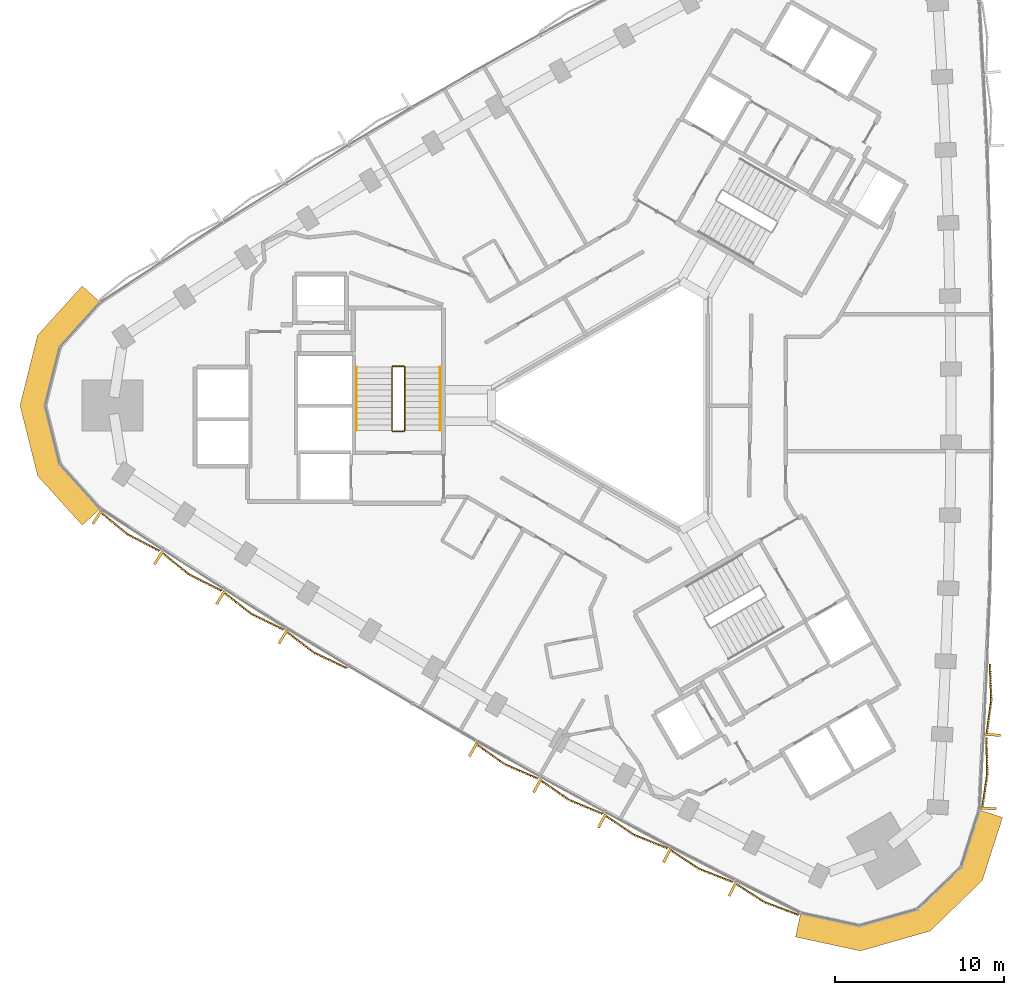
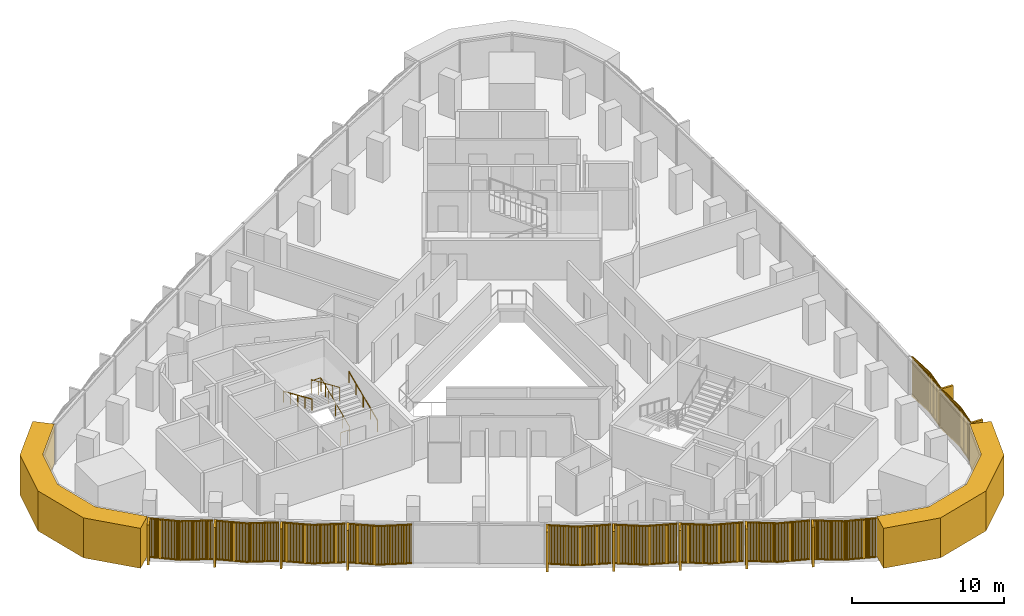
# One storey, part 12 of 14: 13 coverings, 3 railings.
"""IFC4 building model written with IfcOpenShell, lengths in metres."""

from ifc_helpers import new_model, si_unit, direction, frame, frame_2d, origin, origin_2d, place, context, subcontext, project, spatial, polyline, rectangle, circle, outline, extrude, source, transform, mapped, material, layer, layer_set, type_object, element, save


model = new_model("IFC4")

# Units and contexts
model_context = context("Model", 3, precision=1e-05, world=origin(), true_north=direction((0.0, 1.0)))
body_context = subcontext(model_context, "Body", "Model", "MODEL_VIEW")
ifc_project = project(units=[si_unit("LENGTHUNIT", "METRE"), si_unit("AREAUNIT", "SQUARE_METRE"), si_unit("VOLUMEUNIT", "CUBIC_METRE"), si_unit("PLANEANGLEUNIT", "RADIAN"), si_unit("MASSUNIT", "GRAM", prefix="KILO")], contexts=[model_context])

# Site, building, storey
site_placement = place(None, origin())
site = spatial("IfcSite", under=ifc_project, at=site_placement, CompositionType="ELEMENT")
building_placement = place(site_placement, origin())
building = spatial("IfcBuilding", under=site, at=building_placement, Name="Tamra Quay Hotel Tower", CompositionType="ELEMENT")
storey_placement = place(building_placement, frame((0.0, 0.0, 146.800048828125)))
storey = spatial("IfcBuildingStorey", under=building, at=storey_placement, Name="L36", CompositionType="ELEMENT", Elevation=146.800048828125)

# Coverings
ifc_material_1 = material(Name="Precast concrete M60 terracotta-coloured", Category="masonry")
ifc_layer = layer(ifc_material_1, 1.449951171875)
ifc_layer_set = layer_set([ifc_layer], Name="CORNER PIER PANEL")
covering_type_1 = type_object("IfcCoveringType", Name="CORNER PIER PANEL", PredefinedType="CLADDING", material=ifc_layer_set)
covering_1_placement = place(storey_placement, origin())
element("IfcCovering", 1, at=covering_1_placement, inside=storey, type_object=covering_type_1, Name="Corner pier L36.north-west", PredefinedType="CLADDING", context=body_context, shape_type="SweptSolid", body=[
    extrude(outline(polyline([(-31.139892578125, 6.099365234375), (-32.21435546875, 7.0732421875), (-34.85205078125, 4.16259765625), (-35.894775390625, 0.0), (-34.85205078125, -4.16259765625), (-32.21435546875, -7.0732421875), (-31.139892578125, -6.099365234375), (-33.53369140625, -3.4580078125), (-34.39990234375, 0.0), (-33.53369140625, 3.4580078125), (-31.139892578125, 6.099365234375)])), origin(), (0.0, 0.0, 1.0), 3.199951171875),
])
covering_2_placement = place(storey_placement, origin())
element("IfcCovering", 2, at=covering_2_placement, inside=storey, type_object=covering_type_1, Name="Corner pier L36.south-west", PredefinedType="CLADDING", context=body_context, shape_type="SweptSolid", body=[
    extrude(outline(polyline([(10.28759765625, -30.017578125), (9.981689453125, -31.43505859375), (13.821044921875, -32.26416015625), (17.947509765625, -31.085693359375), (21.031005859375, -28.1015625), (22.232666015625, -24.36181640625), (20.852294921875, -23.918212890625), (19.76171875, -27.31201171875), (17.199951171875, -29.791259765625), (13.772216796875, -30.770263671875), (10.28759765625, -30.017578125)])), origin(), (0.0, 0.0, 1.0), 3.199951171875),
])

# Railings
ifc_material_2 = material(Name="Stair guard 1100")
railing_type_1 = type_object("IfcRailingType", Name="Stair guard 1100", PredefinedType="GUARDRAIL", material=ifc_material_2)
railing_1_placement = place(storey_placement, frame((-13.84130859375, -1.530029296875, 0.0)))
element("IfcRailing", 3, at=railing_1_placement, inside=storey, type_object=railing_type_1, Name="GR", PredefinedType="GUARDRAIL", context=body_context, shape_type="SweptSolid", body=[
    extrude(circle(Radius=0.02392578125, at=origin_2d()), frame((0.0, 0.0, 1.076171875), z_axis=(1.0, 0.0, 0.0), x_axis=(0.0, 1.0, 0.0)), (0.0, 0.0, 1.0), 0.658935546875),
    extrude(circle(Radius=0.02392578125, at=origin_2d()), frame((0.658935546875, 0.0, 1.076171875), z_axis=(0.301912943143, 0.301912943143, 0.904266083366), x_axis=(-0.707106781187, 0.707106781187, 0.0)), (0.0, 0.0, 1.0), 0.165771484375),
    extrude(circle(Radius=0.02392578125, at=origin_2d()), frame((0.708984375, 0.050048828125, 1.22607421875), z_axis=(0.0, 0.915773634228, 0.401694723457), x_axis=(-1.0, 0.0, 0.0)), (0.0, 0.0, 1.0), 4.10791015625),
    extrude(circle(Radius=0.02392578125, at=origin_2d()), frame((0.708984375, 3.81201171875, 2.8759765625), z_axis=(-0.708833529934, 0.705375805398, 0.0), x_axis=(-0.705375805398, -0.708833529934, 0.0)), (0.0, 0.0, 1.0), 0.070556640625),
    extrude(circle(Radius=0.02392578125, at=origin_2d()), frame((0.658935546875, 3.86181640625, 2.8759765625), z_axis=(-1.0, 0.0, 0.0), x_axis=(0.0, -1.0, 0.0)), (0.0, 0.0, 1.0), 0.658935546875),
    extrude(circle(Radius=0.02392578125, at=origin_2d()), frame((0.0, 3.86181640625, 2.8759765625), z_axis=(-0.302046947789, -0.300573548044, 0.904667443621), x_axis=(0.705375805398, -0.708833529934, 0.0)), (0.0, 0.0, 1.0), 0.165771484375),
    extrude(circle(Radius=0.02392578125, at=origin_2d()), frame((-0.050048828125, 3.81201171875, 3.02587890625), z_axis=(0.0, -0.915795495799, 0.401644880304), x_axis=(1.0, 0.0, 0.0)), (0.0, 0.0, 1.0), 4.10791015625),
    extrude(circle(Radius=0.02099609375, at=origin_2d()), origin(), (0.0, 0.0, 1.0), 1.052001953125),
    extrude(circle(Radius=0.02099609375, at=origin_2d()), frame((0.658935546875, 0.0, 0.0)), (0.0, 0.0, 1.0), 1.052001953125),
    extrude(circle(Radius=0.02099609375, at=origin_2d()), frame((0.708984375, 0.050048828125, 0.14990234375)), (0.0, 0.0, 1.0), 1.052001953125),
    extrude(circle(Radius=0.02099609375, at=origin_2d()), frame((0.708984375, 0.990478515625, 0.5625)), (0.0, 0.0, 1.0), 1.052001953125),
    extrude(circle(Radius=0.02099609375, at=origin_2d()), frame((0.708984375, 1.93115234375, 0.97509765625)), (0.0, 0.0, 1.0), 1.052001953125),
    extrude(circle(Radius=0.02099609375, at=origin_2d()), frame((0.708984375, 2.87158203125, 1.387451171875)), (0.0, 0.0, 1.0), 1.052001953125),
    extrude(circle(Radius=0.02099609375, at=origin_2d()), frame((0.708984375, 3.81201171875, 1.800048828125)), (0.0, 0.0, 1.0), 1.052001953125),
    extrude(circle(Radius=0.02099609375, at=origin_2d()), frame((0.658935546875, 3.86181640625, 1.800048828125)), (0.0, 0.0, 1.0), 1.052001953125),
    extrude(circle(Radius=0.02099609375, at=origin_2d()), frame((0.0, 3.86181640625, 1.800048828125)), (0.0, 0.0, 1.0), 1.052001953125),
    extrude(circle(Radius=0.02099609375, at=origin_2d()), frame((-0.050048828125, 3.81201171875, 1.949951171875)), (0.0, 0.0, 1.0), 1.052001953125),
    extrude(circle(Radius=0.02099609375, at=origin_2d()), frame((-0.050048828125, 2.87158203125, 2.3623046875)), (0.0, 0.0, 1.0), 1.052001953125),
    extrude(circle(Radius=0.02099609375, at=origin_2d()), frame((-0.050048828125, 1.93115234375, 2.77490234375)), (0.0, 0.0, 1.0), 1.052001953125),
    extrude(circle(Radius=0.02099609375, at=origin_2d()), frame((-0.050048828125, 0.990478515625, 3.1875)), (0.0, 0.0, 1.0), 1.052001953125),
    extrude(circle(Radius=0.02099609375, at=origin_2d()), frame((-0.050048828125, 0.050048828125, 3.599853515625)), (0.0, 0.0, 1.0), 1.052001953125),
])
ifc_material_3 = material(Name="Stair handrail 900")
railing_type_2 = type_object("IfcRailingType", Name="Stair handrail 900", PredefinedType="HANDRAIL", material=ifc_material_3)
railing_2_placement = place(storey_placement, frame((-11.0322265625, -1.47998046875, 0.14990234375)))
element("IfcRailing", 4, at=railing_2_placement, inside=storey, type_object=railing_type_2, Name="HR", PredefinedType="HANDRAIL", context=body_context, shape_type="SweptSolid", body=[
    extrude(circle(Radius=0.02392578125, at=origin_2d()), frame((0.0, 0.0, 0.8759765625), z_axis=(0.0, 0.915773634228, 0.401694723457), x_axis=(-1.0, 0.0, 0.0)), (0.0, 0.0, 1.0), 4.10791015625),
    extrude(circle(Radius=0.02099609375, at=origin_2d()), origin(), (0.0, 0.0, 1.0), 0.851806640625),
    extrude(circle(Radius=0.02099609375, at=origin_2d()), frame((0.0, 0.9404296875, 0.41259765625)), (0.0, 0.0, 1.0), 0.851806640625),
    extrude(circle(Radius=0.02099609375, at=origin_2d()), frame((0.0, 1.880859375, 0.8251953125)), (0.0, 0.0, 1.0), 0.851806640625),
    extrude(circle(Radius=0.02099609375, at=origin_2d()), frame((0.0, 2.821533203125, 1.237548828125)), (0.0, 0.0, 1.0), 0.851806640625),
    extrude(circle(Radius=0.02099609375, at=origin_2d()), frame((0.0, 3.761962890625, 1.650146484375)), (0.0, 0.0, 1.0), 0.851806640625),
])
railing_3_placement = place(storey_placement, frame((-15.9912109375, 2.281982421875, 1.949951171875)))
element("IfcRailing", 5, at=railing_3_placement, inside=storey, type_object=railing_type_2, Name="HR", PredefinedType="HANDRAIL", context=body_context, shape_type="SweptSolid", body=[
    extrude(circle(Radius=0.02392578125, at=origin_2d()), frame((0.0, 0.0, 0.8759765625), z_axis=(0.0, -0.915795495799, 0.401644880304), x_axis=(1.0, 0.0, 0.0)), (0.0, 0.0, 1.0), 4.10791015625),
    extrude(circle(Radius=0.02099609375, at=origin_2d()), origin(), (0.0, 0.0, 1.0), 0.851806640625),
    extrude(circle(Radius=0.02099609375, at=origin_2d()), frame((0.0, -0.9404296875, 0.41259765625)), (0.0, 0.0, 1.0), 0.851806640625),
    extrude(circle(Radius=0.02099609375, at=origin_2d()), frame((0.0, -1.880859375, 0.824951171875)), (0.0, 0.0, 1.0), 0.851806640625),
    extrude(circle(Radius=0.02099609375, at=origin_2d()), frame((0.0, -2.821533203125, 1.2373046875)), (0.0, 0.0, 1.0), 0.851806640625),
    extrude(circle(Radius=0.02099609375, at=origin_2d()), frame((0.0, -3.761962890625, 1.64990234375)), (0.0, 0.0, 1.0), 0.851806640625),
])

# Coverings
ifc_material_4 = material(Name="Terracotta baguette extruded", Category="masonry")
covering_type_2 = type_object("IfcCoveringType", Name="BAGUETTE SCREEN E-V H3200", PredefinedType="USERDEFINED", material=ifc_material_4)
shared_shape_1 = source(origin(), body_context, "Body", "SweptSolid", [
    extrude(rectangle(XDim=2.140625, YDim=0.06005859375, at=frame_2d((1.0703125, 0.030029296875))), frame((-2.1376953125, -0.057861328125, -0.1201171875), z_axis=(0.0, 0.0, 1.0), x_axis=(0.996194698092, -0.087155742748, 0.0)), (0.0, 0.0, 1.0), 0.1201171875),
    extrude(rectangle(XDim=2.140625, YDim=0.06005859375, at=frame_2d((1.0703125, 0.030029296875))), frame((-2.1376953125, -0.057861328125, -3.199951171875), z_axis=(0.0, 0.0, 1.0), x_axis=(0.996194698092, -0.087155742748, 0.0)), (0.0, 0.0, 1.0), 0.1201171875),
    extrude(rectangle(XDim=0.070068359375, YDim=0.10009765625, at=frame_2d((0.03515625, 0.050048828125))), frame((-2.11669921875, -0.13232421875, -3.139892578125)), (0.0, 0.0, 1.0), 3.080078125),
    extrude(rectangle(XDim=0.070068359375, YDim=0.10009765625, at=frame_2d((0.03515625, 0.050048828125))), frame((-2.01513671875, -0.141357421875, -3.139892578125)), (0.0, 0.0, 1.0), 3.080078125),
    extrude(rectangle(XDim=0.070068359375, YDim=0.10009765625, at=frame_2d((0.03515625, 0.050048828125))), frame((-1.91357421875, -0.150146484375, -3.139892578125)), (0.0, 0.0, 1.0), 3.080078125),
    extrude(rectangle(XDim=0.070068359375, YDim=0.10009765625, at=frame_2d((0.03515625, 0.050048828125))), frame((-1.81201171875, -0.1591796875, -3.139892578125)), (0.0, 0.0, 1.0), 3.080078125),
    extrude(rectangle(XDim=0.070068359375, YDim=0.10009765625, at=frame_2d((0.03515625, 0.050048828125))), frame((-1.71044921875, -0.16796875, -3.139892578125)), (0.0, 0.0, 1.0), 3.080078125),
    extrude(rectangle(XDim=0.070068359375, YDim=0.10009765625, at=frame_2d((0.03515625, 0.050048828125))), frame((-1.60888671875, -0.1767578125, -3.139892578125)), (0.0, 0.0, 1.0), 3.080078125),
    extrude(rectangle(XDim=0.070068359375, YDim=0.10009765625, at=frame_2d((0.03515625, 0.050048828125))), frame((-1.50732421875, -0.185791015625, -3.139892578125)), (0.0, 0.0, 1.0), 3.080078125),
    extrude(rectangle(XDim=0.070068359375, YDim=0.10009765625, at=frame_2d((0.03515625, 0.050048828125))), frame((-1.406005859375, -0.194580078125, -3.139892578125)), (0.0, 0.0, 1.0), 3.080078125),
    extrude(rectangle(XDim=0.070068359375, YDim=0.10009765625, at=frame_2d((0.03515625, 0.050048828125))), frame((-1.304443359375, -0.20361328125, -3.139892578125)), (0.0, 0.0, 1.0), 3.080078125),
    extrude(rectangle(XDim=0.070068359375, YDim=0.10009765625, at=frame_2d((0.03515625, 0.050048828125))), frame((-1.202880859375, -0.21240234375, -3.139892578125)), (0.0, 0.0, 1.0), 3.080078125),
    extrude(rectangle(XDim=0.070068359375, YDim=0.10009765625, at=frame_2d((0.03515625, 0.050048828125))), frame((-1.101318359375, -0.22119140625, -3.139892578125)), (0.0, 0.0, 1.0), 3.080078125),
    extrude(rectangle(XDim=0.070068359375, YDim=0.10009765625, at=frame_2d((0.03515625, 0.050048828125))), frame((-0.999755859375, -0.230224609375, -3.139892578125)), (0.0, 0.0, 1.0), 3.080078125),
    extrude(rectangle(XDim=0.070068359375, YDim=0.10009765625, at=frame_2d((0.03515625, 0.050048828125))), frame((-0.898193359375, -0.239013671875, -3.139892578125)), (0.0, 0.0, 1.0), 3.080078125),
    extrude(rectangle(XDim=0.070068359375, YDim=0.10009765625, at=frame_2d((0.03515625, 0.050048828125))), frame((-0.796630859375, -0.248046875, -3.139892578125)), (0.0, 0.0, 1.0), 3.080078125),
    extrude(rectangle(XDim=0.070068359375, YDim=0.10009765625, at=frame_2d((0.03515625, 0.050048828125))), frame((-0.695068359375, -0.2568359375, -3.139892578125)), (0.0, 0.0, 1.0), 3.080078125),
    extrude(rectangle(XDim=0.070068359375, YDim=0.10009765625, at=frame_2d((0.03515625, 0.050048828125))), frame((-0.593505859375, -0.265625, -3.139892578125)), (0.0, 0.0, 1.0), 3.080078125),
    extrude(rectangle(XDim=0.070068359375, YDim=0.10009765625, at=frame_2d((0.03515625, 0.050048828125))), frame((-0.491943359375, -0.274658203125, -3.139892578125)), (0.0, 0.0, 1.0), 3.080078125),
    extrude(rectangle(XDim=0.070068359375, YDim=0.10009765625, at=frame_2d((0.03515625, 0.050048828125))), frame((-0.390380859375, -0.283447265625, -3.139892578125)), (0.0, 0.0, 1.0), 3.080078125),
    extrude(rectangle(XDim=0.070068359375, YDim=0.10009765625, at=frame_2d((0.03515625, 0.050048828125))), frame((-0.288818359375, -0.29248046875, -3.139892578125)), (0.0, 0.0, 1.0), 3.080078125),
    extrude(rectangle(XDim=0.070068359375, YDim=0.10009765625, at=frame_2d((0.03515625, 0.050048828125))), frame((-0.187255859375, -0.30126953125, -3.139892578125)), (0.0, 0.0, 1.0), 3.080078125),
    extrude(rectangle(XDim=0.070068359375, YDim=0.10009765625, at=frame_2d((0.03515625, 0.050048828125))), frame((-0.085693359375, -0.31005859375, -3.139892578125)), (0.0, 0.0, 1.0), 3.080078125),
    extrude(rectangle(XDim=2.140625, YDim=0.06005859375, at=frame_2d((1.0703125, 0.030029296875))), frame((0.005126953125, -0.244384765625, -0.1201171875), z_axis=(0.0, 0.0, 1.0), x_axis=(0.996194698092, 0.087155742748, 0.0)), (0.0, 0.0, 1.0), 0.1201171875),
    extrude(rectangle(XDim=2.140625, YDim=0.06005859375, at=frame_2d((1.0703125, 0.030029296875))), frame((0.005126953125, -0.244384765625, -3.199951171875), z_axis=(0.0, 0.0, 1.0), x_axis=(0.996194698092, 0.087155742748, 0.0)), (0.0, 0.0, 1.0), 0.1201171875),
    extrude(rectangle(XDim=0.070068359375, YDim=0.10009765625, at=frame_2d((0.03515625, 0.050048828125))), frame((0.015869140625, -0.31005859375, -3.139892578125)), (0.0, 0.0, 1.0), 3.080078125),
    extrude(rectangle(XDim=0.070068359375, YDim=0.10009765625, at=frame_2d((0.03515625, 0.050048828125))), frame((0.117431640625, -0.30126953125, -3.139892578125)), (0.0, 0.0, 1.0), 3.080078125),
    extrude(rectangle(XDim=0.070068359375, YDim=0.10009765625, at=frame_2d((0.03515625, 0.050048828125))), frame((0.21875, -0.29248046875, -3.139892578125)), (0.0, 0.0, 1.0), 3.080078125),
    extrude(rectangle(XDim=0.070068359375, YDim=0.10009765625, at=frame_2d((0.03515625, 0.050048828125))), frame((0.3203125, -0.283447265625, -3.139892578125)), (0.0, 0.0, 1.0), 3.080078125),
    extrude(rectangle(XDim=0.070068359375, YDim=0.10009765625, at=frame_2d((0.03515625, 0.050048828125))), frame((0.421875, -0.274658203125, -3.139892578125)), (0.0, 0.0, 1.0), 3.080078125),
    extrude(rectangle(XDim=0.070068359375, YDim=0.10009765625, at=frame_2d((0.03515625, 0.050048828125))), frame((0.5234375, -0.265625, -3.139892578125)), (0.0, 0.0, 1.0), 3.080078125),
    extrude(rectangle(XDim=0.070068359375, YDim=0.10009765625, at=frame_2d((0.03515625, 0.050048828125))), frame((0.625, -0.2568359375, -3.139892578125)), (0.0, 0.0, 1.0), 3.080078125),
    extrude(rectangle(XDim=0.070068359375, YDim=0.10009765625, at=frame_2d((0.03515625, 0.050048828125))), frame((0.7265625, -0.248046875, -3.139892578125)), (0.0, 0.0, 1.0), 3.080078125),
    extrude(rectangle(XDim=0.070068359375, YDim=0.10009765625, at=frame_2d((0.03515625, 0.050048828125))), frame((0.828125, -0.239013671875, -3.139892578125)), (0.0, 0.0, 1.0), 3.080078125),
    extrude(rectangle(XDim=0.070068359375, YDim=0.10009765625, at=frame_2d((0.03515625, 0.050048828125))), frame((0.9296875, -0.230224609375, -3.139892578125)), (0.0, 0.0, 1.0), 3.080078125),
    extrude(rectangle(XDim=0.070068359375, YDim=0.10009765625, at=frame_2d((0.03515625, 0.050048828125))), frame((1.03125, -0.22119140625, -3.139892578125)), (0.0, 0.0, 1.0), 3.080078125),
    extrude(rectangle(XDim=0.070068359375, YDim=0.10009765625, at=frame_2d((0.03515625, 0.050048828125))), frame((1.1328125, -0.21240234375, -3.139892578125)), (0.0, 0.0, 1.0), 3.080078125),
    extrude(rectangle(XDim=0.070068359375, YDim=0.10009765625, at=frame_2d((0.03515625, 0.050048828125))), frame((1.234375, -0.20361328125, -3.139892578125)), (0.0, 0.0, 1.0), 3.080078125),
    extrude(rectangle(XDim=0.070068359375, YDim=0.10009765625, at=frame_2d((0.03515625, 0.050048828125))), frame((1.3359375, -0.194580078125, -3.139892578125)), (0.0, 0.0, 1.0), 3.080078125),
    extrude(rectangle(XDim=0.070068359375, YDim=0.10009765625, at=frame_2d((0.03515625, 0.050048828125))), frame((1.4375, -0.185791015625, -3.139892578125)), (0.0, 0.0, 1.0), 3.080078125),
    extrude(rectangle(XDim=0.070068359375, YDim=0.10009765625, at=frame_2d((0.03515625, 0.050048828125))), frame((1.5390625, -0.1767578125, -3.139892578125)), (0.0, 0.0, 1.0), 3.080078125),
    extrude(rectangle(XDim=0.070068359375, YDim=0.10009765625, at=frame_2d((0.03515625, 0.050048828125))), frame((1.640625, -0.16796875, -3.139892578125)), (0.0, 0.0, 1.0), 3.080078125),
    extrude(rectangle(XDim=0.070068359375, YDim=0.10009765625, at=frame_2d((0.03515625, 0.050048828125))), frame((1.7421875, -0.1591796875, -3.139892578125)), (0.0, 0.0, 1.0), 3.080078125),
    extrude(rectangle(XDim=0.070068359375, YDim=0.10009765625, at=frame_2d((0.03515625, 0.050048828125))), frame((1.84375, -0.150146484375, -3.139892578125)), (0.0, 0.0, 1.0), 3.080078125),
    extrude(rectangle(XDim=0.070068359375, YDim=0.10009765625, at=frame_2d((0.03515625, 0.050048828125))), frame((1.945068359375, -0.141357421875, -3.139892578125)), (0.0, 0.0, 1.0), 3.080078125),
    extrude(rectangle(XDim=0.070068359375, YDim=0.10009765625, at=frame_2d((0.03515625, 0.050048828125))), frame((2.046630859375, -0.13232421875, -3.139892578125)), (0.0, 0.0, 1.0), 3.080078125),
    extrude(rectangle(XDim=0.14990234375, YDim=0.902099609375, at=frame_2d((0.074951171875, 0.451171875))), frame((-2.132568359375, -0.89990234375, -3.199951171875)), (0.0, 0.0, 1.0), 3.199951171875),
])
for number, where, z_axis, x_axis, name in (
    (6, (21.079833984375, -21.751953125, 3.199951171875), (0.0, 0.0, 1.0), (0.059641629271, 0.998219853568, 0.0), "Baguette screen L36.E.f00"),
    (7, (21.3134765625, -17.40576171875, 3.199951171875), (0.0, 0.0, 1.0), (0.047747439326, 0.998859440581, 0.0), "Baguette screen L36.E.f01"),
):
    element("IfcCovering", number, at=place(storey_placement, frame(where, z_axis=z_axis, x_axis=x_axis)), inside=storey, type_object=covering_type_2, Name=name, ObjectType="BAGUETTE SCREEN", PredefinedType="USERDEFINED", context=body_context, shape_type="MappedRepresentation", body=[
        mapped(shared_shape_1, transform((0.0, 0.0, 0.0), scale=1.0)),
    ])
covering_type_3 = type_object("IfcCoveringType", Name="BAGUETTE SCREEN SW-V H3200", PredefinedType="USERDEFINED", material=ifc_material_4)
shared_shape_2 = source(origin(), body_context, "Body", "SweptSolid", [
    extrude(rectangle(XDim=2.144287109375, YDim=0.06005859375, at=frame_2d((1.072265625, 0.030029296875))), frame((-2.138671875, -0.0576171875, -0.1201171875), z_axis=(0.0, 0.0, 1.0), x_axis=(0.994521895368, -0.104528463268, 0.0)), (0.0, 0.0, 1.0), 0.1201171875),
    extrude(rectangle(XDim=2.144287109375, YDim=0.06005859375, at=frame_2d((1.072265625, 0.030029296875))), frame((-2.138671875, -0.0576171875, -3.199951171875), z_axis=(0.0, 0.0, 1.0), x_axis=(0.994521895368, -0.104528463268, 0.0)), (0.0, 0.0, 1.0), 0.1201171875),
    extrude(rectangle(XDim=0.070068359375, YDim=0.10009765625, at=frame_2d((0.03515625, 0.050048828125))), frame((-2.11669921875, -0.13330078125, -3.139892578125)), (0.0, 0.0, 1.0), 3.080078125),
    extrude(rectangle(XDim=0.070068359375, YDim=0.10009765625, at=frame_2d((0.03515625, 0.050048828125))), frame((-2.01513671875, -0.14404296875, -3.139892578125)), (0.0, 0.0, 1.0), 3.080078125),
    extrude(rectangle(XDim=0.070068359375, YDim=0.10009765625, at=frame_2d((0.03515625, 0.050048828125))), frame((-1.91357421875, -0.15478515625, -3.139892578125)), (0.0, 0.0, 1.0), 3.080078125),
    extrude(rectangle(XDim=0.070068359375, YDim=0.10009765625, at=frame_2d((0.03515625, 0.050048828125))), frame((-1.81201171875, -0.165283203125, -3.139892578125)), (0.0, 0.0, 1.0), 3.080078125),
    extrude(rectangle(XDim=0.070068359375, YDim=0.10009765625, at=frame_2d((0.03515625, 0.050048828125))), frame((-1.71044921875, -0.176025390625, -3.139892578125)), (0.0, 0.0, 1.0), 3.080078125),
    extrude(rectangle(XDim=0.070068359375, YDim=0.10009765625, at=frame_2d((0.03515625, 0.050048828125))), frame((-1.60888671875, -0.186767578125, -3.139892578125)), (0.0, 0.0, 1.0), 3.080078125),
    extrude(rectangle(XDim=0.070068359375, YDim=0.10009765625, at=frame_2d((0.03515625, 0.050048828125))), frame((-1.50732421875, -0.197265625, -3.139892578125)), (0.0, 0.0, 1.0), 3.080078125),
    extrude(rectangle(XDim=0.070068359375, YDim=0.10009765625, at=frame_2d((0.03515625, 0.050048828125))), frame((-1.406005859375, -0.2080078125, -3.139892578125)), (0.0, 0.0, 1.0), 3.080078125),
    extrude(rectangle(XDim=0.070068359375, YDim=0.10009765625, at=frame_2d((0.03515625, 0.050048828125))), frame((-1.304443359375, -0.21875, -3.139892578125)), (0.0, 0.0, 1.0), 3.080078125),
    extrude(rectangle(XDim=0.070068359375, YDim=0.10009765625, at=frame_2d((0.03515625, 0.050048828125))), frame((-1.202880859375, -0.2294921875, -3.139892578125)), (0.0, 0.0, 1.0), 3.080078125),
    extrude(rectangle(XDim=0.070068359375, YDim=0.10009765625, at=frame_2d((0.03515625, 0.050048828125))), frame((-1.101318359375, -0.239990234375, -3.139892578125)), (0.0, 0.0, 1.0), 3.080078125),
    extrude(rectangle(XDim=0.070068359375, YDim=0.10009765625, at=frame_2d((0.03515625, 0.050048828125))), frame((-0.999755859375, -0.250732421875, -3.139892578125)), (0.0, 0.0, 1.0), 3.080078125),
    extrude(rectangle(XDim=0.070068359375, YDim=0.10009765625, at=frame_2d((0.03515625, 0.050048828125))), frame((-0.898193359375, -0.261474609375, -3.139892578125)), (0.0, 0.0, 1.0), 3.080078125),
    extrude(rectangle(XDim=0.070068359375, YDim=0.10009765625, at=frame_2d((0.03515625, 0.050048828125))), frame((-0.796630859375, -0.27197265625, -3.139892578125)), (0.0, 0.0, 1.0), 3.080078125),
    extrude(rectangle(XDim=0.070068359375, YDim=0.10009765625, at=frame_2d((0.03515625, 0.050048828125))), frame((-0.695068359375, -0.28271484375, -3.139892578125)), (0.0, 0.0, 1.0), 3.080078125),
    extrude(rectangle(XDim=0.070068359375, YDim=0.10009765625, at=frame_2d((0.03515625, 0.050048828125))), frame((-0.593505859375, -0.29345703125, -3.139892578125)), (0.0, 0.0, 1.0), 3.080078125),
    extrude(rectangle(XDim=0.070068359375, YDim=0.10009765625, at=frame_2d((0.03515625, 0.050048828125))), frame((-0.491943359375, -0.30419921875, -3.139892578125)), (0.0, 0.0, 1.0), 3.080078125),
    extrude(rectangle(XDim=0.070068359375, YDim=0.10009765625, at=frame_2d((0.03515625, 0.050048828125))), frame((-0.390380859375, -0.314697265625, -3.139892578125)), (0.0, 0.0, 1.0), 3.080078125),
    extrude(rectangle(XDim=0.070068359375, YDim=0.10009765625, at=frame_2d((0.03515625, 0.050048828125))), frame((-0.288818359375, -0.325439453125, -3.139892578125)), (0.0, 0.0, 1.0), 3.080078125),
    extrude(rectangle(XDim=0.070068359375, YDim=0.10009765625, at=frame_2d((0.03515625, 0.050048828125))), frame((-0.187255859375, -0.336181640625, -3.139892578125)), (0.0, 0.0, 1.0), 3.080078125),
    extrude(rectangle(XDim=0.070068359375, YDim=0.10009765625, at=frame_2d((0.03515625, 0.050048828125))), frame((-0.085693359375, -0.3466796875, -3.139892578125)), (0.0, 0.0, 1.0), 3.080078125),
    extrude(rectangle(XDim=2.144287109375, YDim=0.06005859375, at=frame_2d((1.072265625, 0.030029296875))), frame((0.00634765625, -0.28173828125, -0.1201171875), z_axis=(0.0, 0.0, 1.0), x_axis=(0.994521895368, 0.104528463268, 0.0)), (0.0, 0.0, 1.0), 0.1201171875),
    extrude(rectangle(XDim=2.144287109375, YDim=0.06005859375, at=frame_2d((1.072265625, 0.030029296875))), frame((0.00634765625, -0.28173828125, -3.199951171875), z_axis=(0.0, 0.0, 1.0), x_axis=(0.994521895368, 0.104528463268, 0.0)), (0.0, 0.0, 1.0), 0.1201171875),
    extrude(rectangle(XDim=0.070068359375, YDim=0.10009765625, at=frame_2d((0.03515625, 0.050048828125))), frame((0.015869140625, -0.3466796875, -3.139892578125)), (0.0, 0.0, 1.0), 3.080078125),
    extrude(rectangle(XDim=0.070068359375, YDim=0.10009765625, at=frame_2d((0.03515625, 0.050048828125))), frame((0.117431640625, -0.336181640625, -3.139892578125)), (0.0, 0.0, 1.0), 3.080078125),
    extrude(rectangle(XDim=0.070068359375, YDim=0.10009765625, at=frame_2d((0.03515625, 0.050048828125))), frame((0.21875, -0.325439453125, -3.139892578125)), (0.0, 0.0, 1.0), 3.080078125),
    extrude(rectangle(XDim=0.070068359375, YDim=0.10009765625, at=frame_2d((0.03515625, 0.050048828125))), frame((0.3203125, -0.314697265625, -3.139892578125)), (0.0, 0.0, 1.0), 3.080078125),
    extrude(rectangle(XDim=0.070068359375, YDim=0.10009765625, at=frame_2d((0.03515625, 0.050048828125))), frame((0.421875, -0.30419921875, -3.139892578125)), (0.0, 0.0, 1.0), 3.080078125),
    extrude(rectangle(XDim=0.070068359375, YDim=0.10009765625, at=frame_2d((0.03515625, 0.050048828125))), frame((0.5234375, -0.29345703125, -3.139892578125)), (0.0, 0.0, 1.0), 3.080078125),
    extrude(rectangle(XDim=0.070068359375, YDim=0.10009765625, at=frame_2d((0.03515625, 0.050048828125))), frame((0.625, -0.28271484375, -3.139892578125)), (0.0, 0.0, 1.0), 3.080078125),
    extrude(rectangle(XDim=0.070068359375, YDim=0.10009765625, at=frame_2d((0.03515625, 0.050048828125))), frame((0.7265625, -0.27197265625, -3.139892578125)), (0.0, 0.0, 1.0), 3.080078125),
    extrude(rectangle(XDim=0.070068359375, YDim=0.10009765625, at=frame_2d((0.03515625, 0.050048828125))), frame((0.828125, -0.261474609375, -3.139892578125)), (0.0, 0.0, 1.0), 3.080078125),
    extrude(rectangle(XDim=0.070068359375, YDim=0.10009765625, at=frame_2d((0.03515625, 0.050048828125))), frame((0.9296875, -0.250732421875, -3.139892578125)), (0.0, 0.0, 1.0), 3.080078125),
    extrude(rectangle(XDim=0.070068359375, YDim=0.10009765625, at=frame_2d((0.03515625, 0.050048828125))), frame((1.03125, -0.239990234375, -3.139892578125)), (0.0, 0.0, 1.0), 3.080078125),
    extrude(rectangle(XDim=0.070068359375, YDim=0.10009765625, at=frame_2d((0.03515625, 0.050048828125))), frame((1.1328125, -0.2294921875, -3.139892578125)), (0.0, 0.0, 1.0), 3.080078125),
    extrude(rectangle(XDim=0.070068359375, YDim=0.10009765625, at=frame_2d((0.03515625, 0.050048828125))), frame((1.234375, -0.21875, -3.139892578125)), (0.0, 0.0, 1.0), 3.080078125),
    extrude(rectangle(XDim=0.070068359375, YDim=0.10009765625, at=frame_2d((0.03515625, 0.050048828125))), frame((1.3359375, -0.2080078125, -3.139892578125)), (0.0, 0.0, 1.0), 3.080078125),
    extrude(rectangle(XDim=0.070068359375, YDim=0.10009765625, at=frame_2d((0.03515625, 0.050048828125))), frame((1.4375, -0.197265625, -3.139892578125)), (0.0, 0.0, 1.0), 3.080078125),
    extrude(rectangle(XDim=0.070068359375, YDim=0.10009765625, at=frame_2d((0.03515625, 0.050048828125))), frame((1.5390625, -0.186767578125, -3.139892578125)), (0.0, 0.0, 1.0), 3.080078125),
    extrude(rectangle(XDim=0.070068359375, YDim=0.10009765625, at=frame_2d((0.03515625, 0.050048828125))), frame((1.640625, -0.176025390625, -3.139892578125)), (0.0, 0.0, 1.0), 3.080078125),
    extrude(rectangle(XDim=0.070068359375, YDim=0.10009765625, at=frame_2d((0.03515625, 0.050048828125))), frame((1.7421875, -0.165283203125, -3.139892578125)), (0.0, 0.0, 1.0), 3.080078125),
    extrude(rectangle(XDim=0.070068359375, YDim=0.10009765625, at=frame_2d((0.03515625, 0.050048828125))), frame((1.84375, -0.15478515625, -3.139892578125)), (0.0, 0.0, 1.0), 3.080078125),
    extrude(rectangle(XDim=0.070068359375, YDim=0.10009765625, at=frame_2d((0.03515625, 0.050048828125))), frame((1.945068359375, -0.14404296875, -3.139892578125)), (0.0, 0.0, 1.0), 3.080078125),
    extrude(rectangle(XDim=0.070068359375, YDim=0.10009765625, at=frame_2d((0.03515625, 0.050048828125))), frame((2.046630859375, -0.13330078125, -3.139892578125)), (0.0, 0.0, 1.0), 3.080078125),
    extrude(rectangle(XDim=0.14990234375, YDim=0.902099609375, at=frame_2d((0.074951171875, 0.451171875))), frame((-2.132568359375, -0.89990234375, -3.199951171875)), (0.0, 0.0, 1.0), 3.199951171875),
])
for number, where, z_axis, x_axis, name in (
    (8, (-29.377685546875, -7.379638671875, 3.199951171875), (0.0, 0.0, 1.0), (0.834662937117, -0.550761092856, 0.0), "Baguette screen L36.SW.f00"),
    (9, (-25.730712890625, -9.755126953125, 3.199951171875), (0.0, 0.0, 1.0), (0.84116393069, -0.540780215713, 0.0), "Baguette screen L36.SW.f01"),
    (10, (-22.05517578125, -12.087158203125, 3.199951171875), (0.0, 0.0, 1.0), (0.847546140021, -0.530721716661, 0.0), "Baguette screen L36.SW.f02"),
    (11, (-18.3515625, -14.375732421875, 3.199951171875), (0.0, 0.0, 1.0), (0.853830186653, -0.520551642357, 0.0), "Baguette screen L36.SW.f03"),
    (12, (-7.08203125, -20.97216796875, 3.199951171875), (0.0, 0.0, 1.0), (0.871941925157, -0.489609312772, 0.0), "Baguette screen L36.SW.f06"),
    (13, (-3.27392578125, -23.080810546875, 3.199951171875), (0.0, 0.0, 1.0), (0.877726039589, -0.479162810981, 0.0), "Baguette screen L36.SW.f07"),
    (14, (0.559814453125, -25.14404296875, 3.199951171875), (0.0, 0.0, 1.0), (0.883391558979, -0.468635629808, 0.0), "Baguette screen L36.SW.f08"),
    (15, (4.417236328125, -27.160888671875, 3.199951171875), (0.0, 0.0, 1.0), (0.888911370016, -0.458079224868, 0.0), "Baguette screen L36.SW.f09"),
    (16, (8.2978515625, -29.131591796875, 3.199951171875), (0.0, 0.0, 1.0), (0.894304566387, -0.447458760713, 0.0), "Baguette screen L36.SW.f10"),
):
    element("IfcCovering", number, at=place(storey_placement, frame(where, z_axis=z_axis, x_axis=x_axis)), inside=storey, type_object=covering_type_3, Name=name, ObjectType="BAGUETTE SCREEN", PredefinedType="USERDEFINED", context=body_context, shape_type="MappedRepresentation", body=[
        mapped(shared_shape_2, transform((0.0, 0.0, 0.0), scale=1.0)),
    ])

save(model, "model.ifc")
